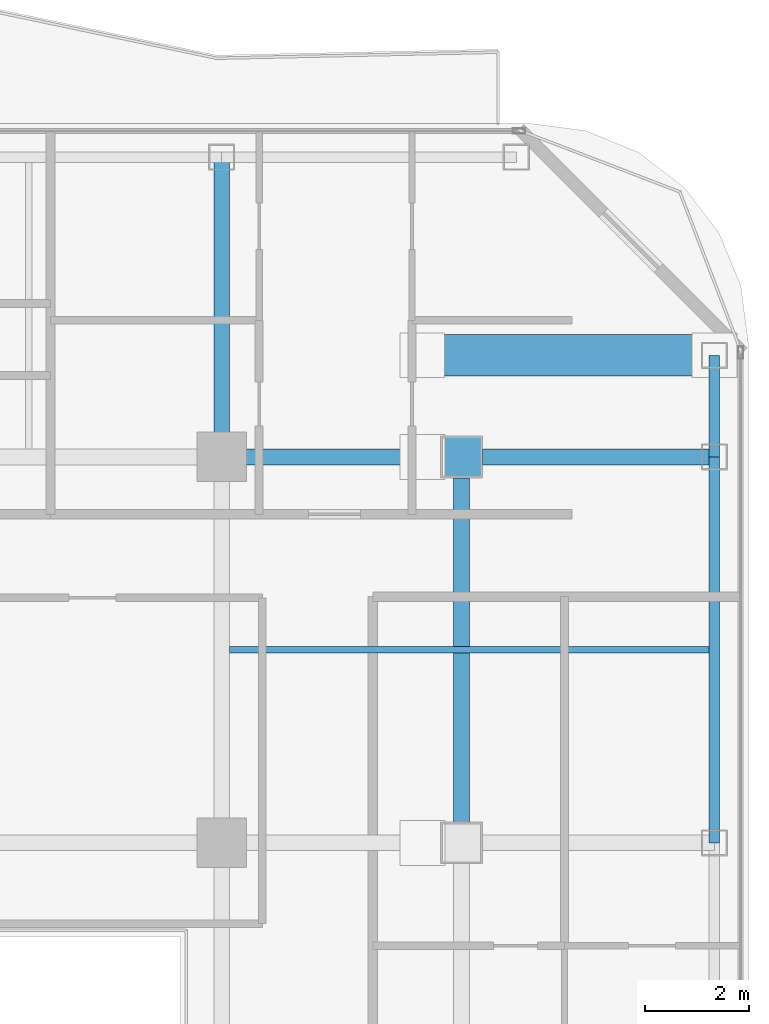
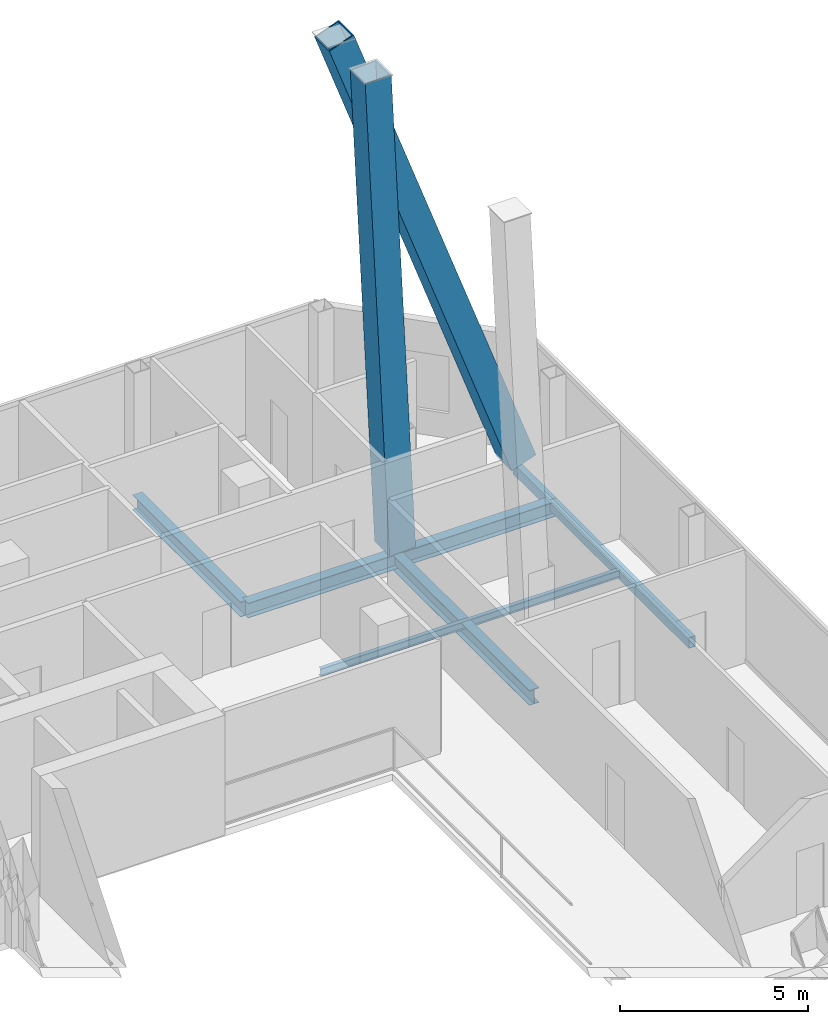
# One storey, part 15 of 27: 7 beams, 2 members.
"""IFC4 building model written with IfcOpenShell, lengths in metres."""

from ifc_helpers import new_model, si_unit, direction, frame, origin, origin_2d, place, context, subcontext, project, spatial, hollow_rectangle, i_section, extrude, material, material_profile, profile_set, type_object, element, save


model = new_model("IFC4")

# Units and contexts
model_context = context("Model", 3, precision=1e-05, world=origin(), true_north=direction((0.0, 1.0)))
body_context = subcontext(model_context, "Body", "Model", "MODEL_VIEW")
ifc_project = project(units=[si_unit("LENGTHUNIT", "METRE"), si_unit("AREAUNIT", "SQUARE_METRE"), si_unit("VOLUMEUNIT", "CUBIC_METRE"), si_unit("PLANEANGLEUNIT", "RADIAN"), si_unit("MASSUNIT", "GRAM", prefix="KILO")], contexts=[model_context])

# Site, building, storey
site_placement = place(None, origin())
site = spatial("IfcSite", under=ifc_project, at=site_placement, CompositionType="ELEMENT")
building_placement = place(site_placement, origin())
building = spatial("IfcBuilding", under=site, at=building_placement, Name="Khorvyn Point Tower", CompositionType="ELEMENT")
storey_placement = place(building_placement, frame((0.0, 0.0, 270.300048828125)))
storey = spatial("IfcBuildingStorey", under=building, at=storey_placement, Name="L66", CompositionType="ELEMENT", Elevation=270.300048828125)

# Beams
ifc_material_1 = material(Name="Steel S355", Category="steel")
ifc_material_profile_1 = material_profile(ifc_material_1, i_section(OverallWidth=0.125, OverallDepth=0.25, WebThickness=0.006103515625, FlangeThickness=0.009033203125, at=origin_2d()))
ifc_profile_set_1 = profile_set([ifc_material_profile_1], Name="Steel S355 H250x125x6x9")
beam_type_1 = type_object("IfcBeamType", Name="Steel S355 Joist H250x125x6x9", PredefinedType="JOIST", material=ifc_profile_set_1)
beam_1_placement = place(storey_placement, frame((14.949951171875, 11.10009765625, -0.344970703125), z_axis=(1.0, 0.0, 0.0), x_axis=(0.0, 1.0, 0.0)))
element("IfcBeam", 1, at=beam_1_placement, inside=storey, type_object=beam_type_1, Name="Beam", PredefinedType="JOIST", context=body_context, shape_type="SweptSolid", body=[
    extrude(i_section(OverallWidth=0.125, OverallDepth=0.25, WebThickness=0.006103515625, FlangeThickness=0.009033203125, at=origin_2d()), origin(), (0.0, 0.0, 1.0), 9.199951171875),
])
ifc_material_profile_2 = material_profile(ifc_material_1, i_section(OverallWidth=0.300048828125, OverallDepth=0.488037109375, WebThickness=0.010986328125, FlangeThickness=0.01806640625, at=origin_2d()))
ifc_profile_set_2 = profile_set([ifc_material_profile_2], Name="Steel S355 H488x300x11x18")
beam_type_2 = type_object("IfcBeamType", Name="Steel S355 Spandrel H488x300x11x18", PredefinedType="SPANDREL", material=ifc_profile_set_2)
beam_2_placement = place(storey_placement, frame((14.800048828125, 14.800048828125, -0.464111328125), z_axis=(1.0, 0.0, 0.0), x_axis=(0.0, 1.0, 0.0)))
element("IfcBeam", 2, at=beam_2_placement, inside=storey, type_object=beam_type_2, Name="Beam", PredefinedType="SPANDREL", context=body_context, shape_type="SweptSolid", body=[
    extrude(i_section(OverallWidth=0.300048828125, OverallDepth=0.488037109375, WebThickness=0.010986328125, FlangeThickness=0.01806640625, at=origin_2d()), origin(), (0.0, 0.0, 1.0), 4.599853515625),
])
beam_3_placement = place(storey_placement, frame((19.39990234375, 14.800048828125, -0.464111328125), z_axis=(1.0, 0.0, 0.0), x_axis=(0.0, 1.0, 0.0)))
element("IfcBeam", 3, at=beam_3_placement, inside=storey, type_object=beam_type_2, Name="Beam", PredefinedType="SPANDREL", context=body_context, shape_type="SweptSolid", body=[
    extrude(i_section(OverallWidth=0.300048828125, OverallDepth=0.488037109375, WebThickness=0.010986328125, FlangeThickness=0.01806640625, at=origin_2d()), origin(), (0.0, 0.0, 1.0), 4.85009765625),
])
beam_4_placement = place(storey_placement, frame((14.800048828125, 14.800048828125, -0.464111328125), z_axis=(0.0, 1.0, 0.0), x_axis=(-1.0, 0.0, 0.0)))
element("IfcBeam", 4, at=beam_4_placement, inside=storey, type_object=beam_type_2, Name="Beam", PredefinedType="SPANDREL", context=body_context, shape_type="SweptSolid", body=[
    extrude(i_section(OverallWidth=0.300048828125, OverallDepth=0.488037109375, WebThickness=0.010986328125, FlangeThickness=0.01806640625, at=origin_2d()), origin(), (0.0, 0.0, 1.0), 5.75),
])
beam_5_placement = place(storey_placement, frame((19.39990234375, 7.39990234375, -0.464111328125), z_axis=(0.0, 1.0, 0.0), x_axis=(-1.0, 0.0, 0.0)))
element("IfcBeam", 5, at=beam_5_placement, inside=storey, type_object=beam_type_2, Name="Beam", PredefinedType="SPANDREL", context=body_context, shape_type="SweptSolid", body=[
    extrude(i_section(OverallWidth=0.300048828125, OverallDepth=0.488037109375, WebThickness=0.010986328125, FlangeThickness=0.01806640625, at=origin_2d()), origin(), (0.0, 0.0, 1.0), 7.400146484375),
])
ifc_material_profile_3 = material_profile(ifc_material_1, hollow_rectangle(XDim=0.199951171875, YDim=0.35009765625, WallThickness=0.013916015625, at=origin_2d()))
ifc_profile_set_3 = profile_set([ifc_material_profile_3], Name="Steel S355 RHS350x200x14")
beam_type_3 = type_object("IfcBeamType", Name="Steel S355 Spandrel RHS350x200x14", PredefinedType="SPANDREL", material=ifc_profile_set_3)
beam_6_placement = place(storey_placement, frame((24.25, 7.39990234375, -0.39501953125), z_axis=(0.0, 1.0, 0.0), x_axis=(-1.0, 0.0, 0.0)))
element("IfcBeam", 6, at=beam_6_placement, inside=storey, type_object=beam_type_3, Name="Beam", PredefinedType="SPANDREL", context=body_context, shape_type="SweptSolid", body=[
    extrude(hollow_rectangle(XDim=0.199951171875, YDim=0.35009765625, WallThickness=0.013916015625, at=origin_2d()), origin(), (0.0, 0.0, 1.0), 7.400146484375),
])
beam_7_placement = place(storey_placement, frame((24.25, 14.800048828125, -0.39501953125), z_axis=(0.0, 1.0, 0.0), x_axis=(-1.0, 0.0, 0.0)))
element("IfcBeam", 7, at=beam_7_placement, inside=storey, type_object=beam_type_3, Name="Beam", PredefinedType="SPANDREL", context=body_context, shape_type="SweptSolid", body=[
    extrude(hollow_rectangle(XDim=0.199951171875, YDim=0.35009765625, WallThickness=0.013916015625, at=origin_2d()), origin(), (0.0, 0.0, 1.0), 1.949951171875),
])

# Members
ifc_material_2 = material(Name="Steel S450", Category="steel")
ifc_material_profile_4 = material_profile(ifc_material_2, hollow_rectangle(XDim=0.800048828125, YDim=0.800048828125, WallThickness=0.035888671875, at=origin_2d()))
ifc_profile_set_4 = profile_set([ifc_material_profile_4], Name="Steel S450 BOX800x800x36")
member_type = type_object("IfcMemberType", Name="Steel S450 Exoskeleton Structural Post BOX800x800x36", PredefinedType="POST", material=ifc_profile_set_4)
member_1_placement = place(storey_placement, frame((24.25, 16.75, 0.0), z_axis=(-0.337872783366, 0.0, 0.941191788245), x_axis=(0.0, -1.0, 0.0)))
element("IfcMember", 8, at=member_1_placement, inside=storey, type_object=member_type, Name="L66 to L70 Exoskeleton Transfer Post 06", PredefinedType="POST", context=body_context, shape_type="SweptSolid", body=[
    extrude(hollow_rectangle(XDim=0.800048828125, YDim=0.800048828125, WallThickness=0.035888671875, at=origin_2d()), origin(), (0.0, 0.0, 1.0), 16.574462890625),
])
member_2_placement = place(storey_placement, frame((19.39990234375, 14.800048828125, 0.0), z_axis=(-0.048021906826, 0.0, 0.998846282701), x_axis=(0.0, -1.0, 0.0)))
element("IfcMember", 9, at=member_2_placement, inside=storey, type_object=member_type, Name="L66 to L70 Exoskeleton Transfer Post 16", PredefinedType="POST", context=body_context, shape_type="SweptSolid", body=[
    extrude(hollow_rectangle(XDim=0.800048828125, YDim=0.800048828125, WallThickness=0.035888671875, at=origin_2d()), origin(), (0.0, 0.0, 1.0), 15.617919921875),
])

save(model, "model.ifc")
